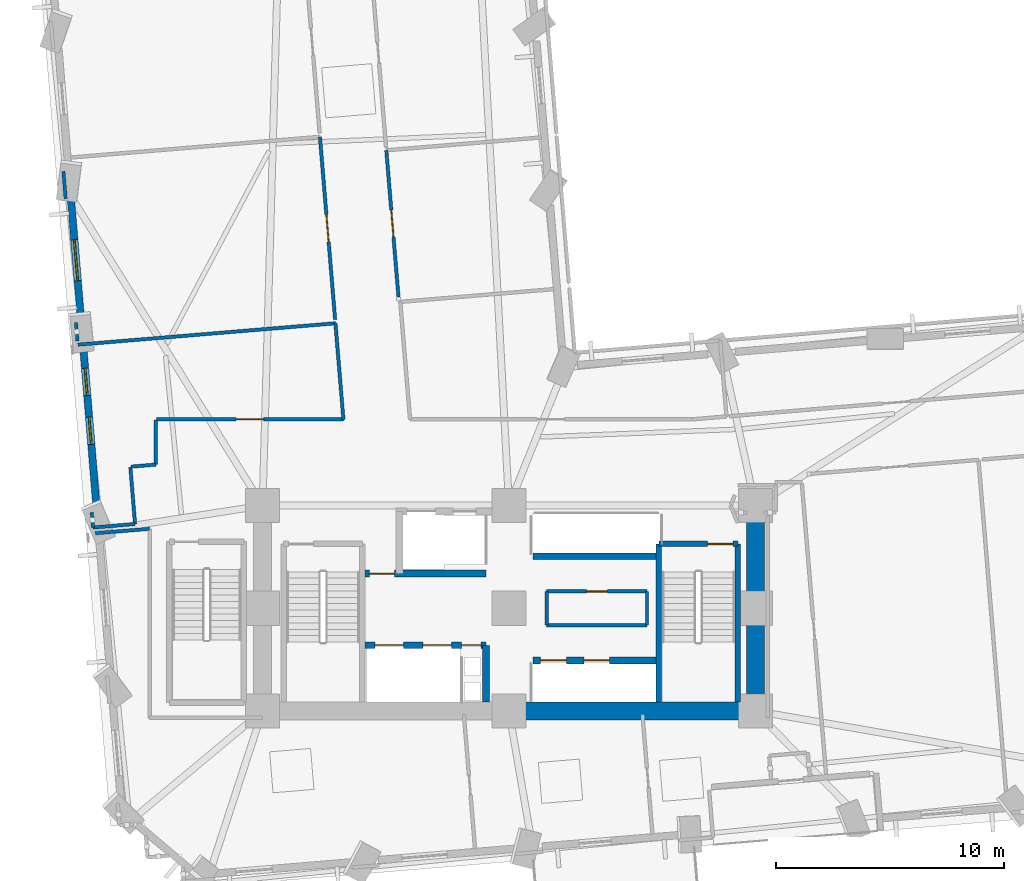
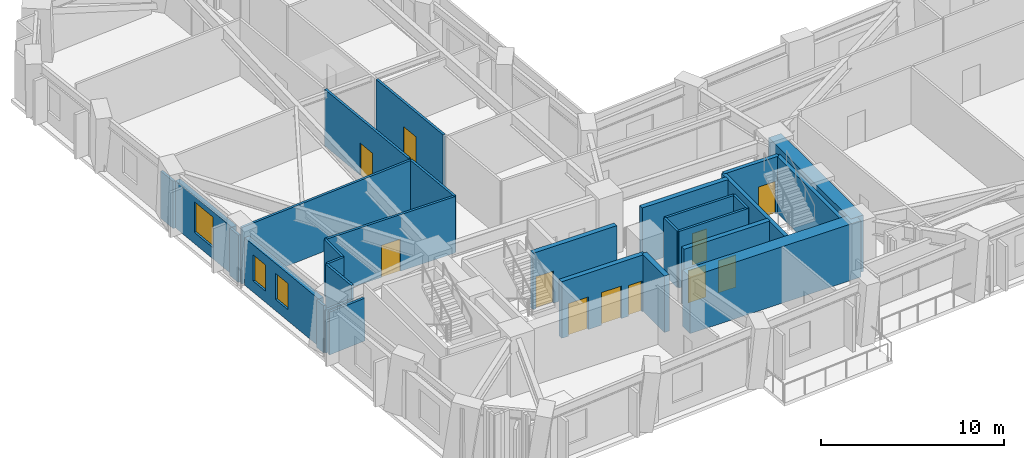
# One storey, part 7 of 14: 29 walls, 11 doors, 3 windows, 14 openings.
"""IFC4 building model written with IfcOpenShell, lengths in metres."""

from ifc_helpers import new_model, si_unit, direction, frame, frame_2d, origin, place, context, subcontext, project, spatial, rectangle, extrude, material, layer, layer_set, type_object, element, fill, save


model = new_model("IFC4")

# Units and contexts
model_context = context("Model", 3, precision=1e-05, world=origin(), true_north=direction((0.0, 1.0)))
body_context = subcontext(model_context, "Body", "Model", "MODEL_VIEW")
ifc_project = project(units=[si_unit("LENGTHUNIT", "METRE"), si_unit("AREAUNIT", "SQUARE_METRE"), si_unit("VOLUMEUNIT", "CUBIC_METRE"), si_unit("PLANEANGLEUNIT", "RADIAN"), si_unit("MASSUNIT", "GRAM", prefix="KILO")], contexts=[model_context])

# Site, building, storey
site_placement = place(None, origin())
site = spatial("IfcSite", under=ifc_project, at=site_placement, CompositionType="ELEMENT")
building_placement = place(site_placement, origin())
building = spatial("IfcBuilding", under=site, at=building_placement, Name="Gaonmaruhae Medical Tower", CompositionType="ELEMENT")
storey_placement = place(building_placement, frame((0.0, 0.0, 43.0)))
storey = spatial("IfcBuildingStorey", under=building, at=storey_placement, Name="L09", CompositionType="ELEMENT", Elevation=43.0)

# Walls
ifc_material_1 = material(Name="Concrete C60/75", Category="concrete")
ifc_layer_1 = layer(ifc_material_1, 0.800048828125)
ifc_layer_set_1 = layer_set([ifc_layer_1], Name="Concrete C60/75")
wall_type_1 = type_object("IfcWallType", Name="CW-800 Lower Core Shear Wall", PredefinedType="SHEAR", material=ifc_layer_set_1)
wall_1_placement = place(storey_placement, frame((24.800048828125, 7.800048828125, 0.0), z_axis=(0.0, 0.0, 1.0), x_axis=(1.0, 0.0, 0.0)))
element("IfcWall", 1, at=wall_1_placement, inside=storey, type_object=wall_type_1, Name="L09 Core Shear Wall CSW-S2", PredefinedType="SHEAR", context=body_context, shape_type="SweptSolid", body=[
    extrude(rectangle(XDim=10.800048828125, YDim=0.800048828125, at=frame_2d((5.39990234375, 0.0))), origin(), (0.0, 0.0, 1.0), 3.780029296875),
])
wall_2_placement = place(storey_placement, frame((35.60009765625, 7.800048828125, 0.0), z_axis=(0.0, 0.0, 1.0), x_axis=(0.0, 1.0, 0.0)))
element("IfcWall", 2, at=wall_2_placement, inside=storey, type_object=wall_type_1, Name="L09 Core Shear Wall CSW-E1", PredefinedType="SHEAR", context=body_context, shape_type="SweptSolid", body=[
    extrude(rectangle(XDim=9.0, YDim=0.800048828125, at=frame_2d((4.5, 0.0))), origin(), (0.0, 0.0, 1.0), 3.780029296875),
])

# Wall, opening, window
ifc_material_2 = material(Name="Precast concrete C45/55", Category="concrete")
ifc_layer_2 = layer(ifc_material_2, 0.320068359375)
ifc_layer_set_2 = layer_set([ifc_layer_2], Name="Precast concrete C45/55")
wall_type_2 = type_object("IfcWallType", Name="EW-320 Lower Precast Masonry-Frame Facade Wall", PredefinedType="SOLIDWALL", material=ifc_layer_set_2)
wall_3_placement = place(storey_placement, frame((6.05126953125, 24.848876953125, 0.0), z_axis=(0.0, 0.0, 1.0), x_axis=(-0.082785398729, 0.996567397499, 0.0)))
wall_3 = element("IfcWall", 3, at=wall_3_placement, inside=storey, type_object=wall_type_2, Name="L09 Precast Masonry-Frame Wall W03-W04", PredefinedType="SOLIDWALL", context=body_context, shape_type="SweptSolid", body=[
    extrude(rectangle(XDim=5.43798828125, YDim=0.320068359375, at=frame_2d((2.718994140625, 0.0))), origin(), (0.0, 0.0, 1.0), 3.1650390625),
])
opening_1_placement = place(wall_3_placement, frame((1.818115234375, 0.0, 0.75)))
opening_1 = element("IfcOpeningElement", 4, at=opening_1_placement, cuts=wall_3, Name="Opening WN-04", PredefinedType="OPENING", context=body_context, shape_type="SweptSolid", body=[
    extrude(rectangle(XDim=1.800048828125, YDim=2.050048828125, at=frame_2d((0.89990234375, 1.02490234375))), frame((0.0, 0.169921875, 0.0), z_axis=(0.0, -1.0, 0.0), x_axis=(1.0, 0.0, 0.0)), (0.0, 0.0, 1.0), 0.340087890625),
])
ifc_material_3 = material(Name="Anodised aluminium and Low-E double glazing", Category="aluminium")
window_type_1 = type_object("IfcWindowType", Name="WN-04 Clinic & Consult Punched Window 1800x2050", PartitioningType="SINGLE_PANEL", PredefinedType="WINDOW", material=ifc_material_3)
window_1_placement = place(opening_1_placement, origin())
window_1 = element("IfcWindow", 5, at=window_1_placement, inside=storey, type_object=window_type_1, Name="L09 Modular Facade Window W03", OverallHeight=2.050048828125, OverallWidth=1.800048828125, PartitioningType="SINGLE_PANEL", PredefinedType="WINDOW", context=body_context, shape_type="SweptSolid", body=[
    extrude(rectangle(XDim=1.800048828125, YDim=2.050048828125, at=frame_2d((0.89990234375, 1.02490234375))), frame((0.0, 0.030029296875, 0.0), z_axis=(0.0, -1.0, 0.0), x_axis=(1.0, 0.0, 0.0)), (0.0, 0.0, 1.0), 0.06005859375),
])
fill(opening_1, window_1)

# Wall, openings, windows
wall_4_placement = place(storey_placement, frame((6.742919921875, 16.52587890625, 0.0), z_axis=(0.0, 0.0, 1.0), x_axis=(-0.082790664038, 0.996566960093, 0.0)))
wall_4 = element("IfcWall", 6, at=wall_4_placement, inside=storey, type_object=wall_type_2, Name="L09 Precast Masonry-Frame Wall W04-W05", PredefinedType="SOLIDWALL", context=body_context, shape_type="SweptSolid", body=[
    extrude(rectangle(XDim=7.13623046875, YDim=0.320068359375, at=frame_2d((3.568115234375, 0.0))), origin(), (0.0, 0.0, 1.0), 3.1650390625),
])
opening_2_placement = place(wall_4_placement, frame((2.968505859375, 0.0, 0.75)))
opening_2 = element("IfcOpeningElement", 7, at=opening_2_placement, cuts=wall_4, Name="Opening WN-05", PredefinedType="OPENING", context=body_context, shape_type="SweptSolid", body=[
    extrude(rectangle(XDim=1.199951171875, YDim=1.75, at=frame_2d((0.60009765625, 0.875))), frame((0.0, 0.169921875, 0.0), z_axis=(0.0, -1.0, 0.0), x_axis=(1.0, 0.0, 0.0)), (0.0, 0.0, 1.0), 0.340087890625),
])
opening_3_placement = place(wall_4_placement, frame((5.117431640625, 0.0, 0.75)))
opening_3 = element("IfcOpeningElement", 8, at=opening_3_placement, cuts=wall_4, Name="Opening WN-05", PredefinedType="OPENING", context=body_context, shape_type="SweptSolid", body=[
    extrude(rectangle(XDim=1.199951171875, YDim=1.75, at=frame_2d((0.60009765625, 0.875))), frame((0.0, 0.169921875, 0.0), z_axis=(0.0, -1.0, 0.0), x_axis=(1.0, 0.0, 0.0)), (0.0, 0.0, 1.0), 0.340087890625),
])
window_type_2 = type_object("IfcWindowType", Name="WN-05 Support & Staff Punched Window 1200x1750", PartitioningType="SINGLE_PANEL", PredefinedType="WINDOW", material=ifc_material_3)
window_2_placement = place(opening_2_placement, origin())
window_2 = element("IfcWindow", 9, at=window_2_placement, inside=storey, type_object=window_type_2, Name="L09 Modular Facade Window W04", OverallHeight=1.75, OverallWidth=1.199951171875, PartitioningType="SINGLE_PANEL", PredefinedType="WINDOW", context=body_context, shape_type="SweptSolid", body=[
    extrude(rectangle(XDim=1.199951171875, YDim=1.75, at=frame_2d((0.60009765625, 0.875))), frame((0.0, 0.030029296875, 0.0), z_axis=(0.0, -1.0, 0.0), x_axis=(1.0, 0.0, 0.0)), (0.0, 0.0, 1.0), 0.06005859375),
])
fill(opening_2, window_2)
window_3_placement = place(opening_3_placement, origin())
window_3 = element("IfcWindow", 10, at=window_3_placement, inside=storey, type_object=window_type_2, Name="L09 Modular Facade Window W04B", OverallHeight=1.75, OverallWidth=1.199951171875, PartitioningType="SINGLE_PANEL", PredefinedType="WINDOW", context=body_context, shape_type="SweptSolid", body=[
    extrude(rectangle(XDim=1.199951171875, YDim=1.75, at=frame_2d((0.60009765625, 0.875))), frame((0.0, 0.030029296875, 0.0), z_axis=(0.0, -1.0, 0.0), x_axis=(1.0, 0.0, 0.0)), (0.0, 0.0, 1.0), 0.06005859375),
])
fill(opening_3, window_3)

# Wall
ifc_material_4 = material(Name="Gypsum board partition", Category="gypsum")
ifc_layer_3 = layer(ifc_material_4, 0.14990234375)
ifc_layer_set_3 = layer_set([ifc_layer_3], Name="Gypsum board partition")
wall_type_3 = type_object("IfcWallType", Name="PW-150 Rated Clinical Corridor Partition", PredefinedType="PARTITIONING", material=ifc_layer_set_3)
wall_5_placement = place(storey_placement, frame((26.449951171875, 11.56005859375, 0.0), z_axis=(0.0, 0.0, 1.0), x_axis=(0.0, 1.0, 0.0)))
element("IfcWall", 11, at=wall_5_placement, inside=storey, type_object=wall_type_3, Name="L09 Interior Partition L09-CS1-1", PredefinedType="PARTITIONING", context=body_context, shape_type="SweptSolid", body=[
    extrude(rectangle(XDim=1.47998046875, YDim=0.14990234375, at=frame_2d((0.739990234375, 0.0))), origin(), (0.0, 0.0, 1.0), 3.780029296875),
])

# Wall, opening, door
wall_6_placement = place(storey_placement, frame((26.449951171875, 13.0400390625, 0.0), z_axis=(0.0, 0.0, 1.0), x_axis=(1.0, 0.0, 0.0)))
wall_6 = element("IfcWall", 12, at=wall_6_placement, inside=storey, type_object=wall_type_3, Name="L09 Interior Partition L09-CS1-2", PredefinedType="PARTITIONING", context=body_context, shape_type="SweptSolid", body=[
    extrude(rectangle(XDim=4.400146484375, YDim=0.14990234375, at=frame_2d((2.2001953125, 0.0))), origin(), (0.0, 0.0, 1.0), 3.780029296875),
])
opening_4_placement = place(wall_6_placement, frame((1.739990234375, 0.0, 0.0)))
opening_4 = element("IfcOpeningElement", 13, at=opening_4_placement, cuts=wall_6, Name="Opening UD-01", PredefinedType="OPENING", context=body_context, shape_type="SweptSolid", body=[
    extrude(rectangle(XDim=0.919921875, YDim=2.10009765625, at=frame_2d((0.4599609375, 1.050048828125))), frame((0.0, 0.0849609375, 0.0), z_axis=(0.0, -1.0, 0.0), x_axis=(1.0, 0.0, 0.0)), (0.0, 0.0, 1.0), 0.169921875),
])
ifc_material_5 = material(Name="Powder-coated steel utility door", Category="steel")
door_type_1 = type_object("IfcDoorType", Name="UD-01 Toilet, Utility & Housekeeping Door 920x2100", OperationType="NOTDEFINED", PredefinedType="DOOR", material=ifc_material_5)
door_1_placement = place(opening_4_placement, origin())
door_1 = element("IfcDoor", 14, at=door_1_placement, inside=storey, type_object=door_type_1, Name="L09 Clean Linen Utility Store Door", OperationType="SINGLE_SWING_LEFT", OverallHeight=2.10009765625, OverallWidth=0.919921875, PredefinedType="DOOR", context=body_context, shape_type="SweptSolid", body=[
    extrude(rectangle(XDim=0.919921875, YDim=2.10009765625, at=frame_2d((0.4599609375, 1.050048828125))), frame((0.0, 0.02490234375, 0.0), z_axis=(0.0, -1.0, 0.0), x_axis=(1.0, 0.0, 0.0)), (0.0, 0.0, 1.0), 0.050048828125),
])
fill(opening_4, door_1)

# Walls
wall_7_placement = place(storey_placement, frame((30.85009765625, 13.0400390625, 0.0), z_axis=(0.0, 0.0, 1.0), x_axis=(0.0, -1.0, 0.0)))
element("IfcWall", 15, at=wall_7_placement, inside=storey, type_object=wall_type_3, Name="L09 Interior Partition L09-CS1-3", PredefinedType="PARTITIONING", context=body_context, shape_type="SweptSolid", body=[
    extrude(rectangle(XDim=1.47998046875, YDim=0.14990234375, at=frame_2d((0.739990234375, 0.0))), origin(), (0.0, 0.0, 1.0), 3.780029296875),
])
wall_8_placement = place(storey_placement, frame((30.85009765625, 11.56005859375, 0.0), z_axis=(0.0, 0.0, 1.0), x_axis=(-1.0, 0.0, 0.0)))
element("IfcWall", 16, at=wall_8_placement, inside=storey, type_object=wall_type_3, Name="L09 Interior Partition L09-CS1-4", PredefinedType="PARTITIONING", context=body_context, shape_type="SweptSolid", body=[
    extrude(rectangle(XDim=4.400146484375, YDim=0.14990234375, at=frame_2d((2.2001953125, 0.0))), origin(), (0.0, 0.0, 1.0), 3.780029296875),
])
wall_9_placement = place(storey_placement, frame((6.669921875, 15.587890625, 0.0), z_axis=(0.0, 0.0, 1.0), x_axis=(0.996557732461, 0.082901663866, 0.0)))
element("IfcWall", 17, at=wall_9_placement, inside=storey, type_object=wall_type_3, Name="L09 Interior Partition L09-SUP01-15", PredefinedType="PARTITIONING", context=body_context, shape_type="SweptSolid", body=[
    extrude(rectangle(XDim=2.388427734375, YDim=0.14990234375, at=frame_2d((1.1943359375, 0.0))), origin(), (0.0, 0.0, 1.0), 2.864990234375),
])
wall_10_placement = place(storey_placement, frame((9.320068359375, 20.550048828125, 0.0), z_axis=(0.0, 0.0, 1.0), x_axis=(0.0, -1.0, 0.0)))
element("IfcWall", 18, at=wall_10_placement, inside=storey, type_object=wall_type_3, Name="L09 Interior Partition L09-WOF08-44", PredefinedType="PARTITIONING", context=body_context, shape_type="SweptSolid", body=[
    extrude(rectangle(XDim=1.9521484375, YDim=0.14990234375, at=frame_2d((0.97607421875, 0.0))), origin(), (0.0, 0.0, 1.0), 3.780029296875),
])
wall_11_placement = place(storey_placement, frame((9.320068359375, 18.597900390625, 0.0), z_axis=(0.0, 0.0, 1.0), x_axis=(-0.99659655083, -0.082433699866, 0.0)))
element("IfcWall", 19, at=wall_11_placement, inside=storey, type_object=wall_type_3, Name="L09 Interior Partition L09-WOF08-45", PredefinedType="PARTITIONING", context=body_context, shape_type="SweptSolid", body=[
    extrude(rectangle(XDim=1.08984375, YDim=0.14990234375, at=frame_2d((0.544921875, 0.0))), origin(), (0.0, 0.0, 1.0), 3.780029296875),
])
wall_12_placement = place(storey_placement, frame((8.20703125, 18.48388671875, 0.0), z_axis=(0.0, 0.0, 1.0), x_axis=(0.082471307272, -0.996593439411, 0.0)))
element("IfcWall", 20, at=wall_12_placement, inside=storey, type_object=wall_type_3, Name="L09 Interior Partition L09-WOF08-46", PredefinedType="PARTITIONING", context=body_context, shape_type="SweptSolid", body=[
    extrude(rectangle(XDim=2.49853515625, YDim=0.14990234375, at=frame_2d((1.249267578125, 0.0))), origin(), (0.0, 0.0, 1.0), 3.780029296875),
])
wall_13_placement = place(storey_placement, frame((8.4130859375, 15.993896484375, 0.0), z_axis=(0.0, 0.0, 1.0), x_axis=(-0.996582966353, -0.082597767369, 0.0)))
element("IfcWall", 21, at=wall_13_placement, inside=storey, type_object=wall_type_3, Name="L09 Interior Partition L09-WOF08-47", PredefinedType="PARTITIONING", context=body_context, shape_type="SweptSolid", body=[
    extrude(rectangle(XDim=1.850341796875, YDim=0.14990234375, at=frame_2d((0.92529296875, 0.0))), origin(), (0.0, 0.0, 1.0), 2.864990234375),
])
wall_14_placement = place(storey_placement, frame((6.569091796875, 15.841064453125, 0.0), z_axis=(0.0, 0.0, 1.0), x_axis=(-0.082561739403, 0.996585951731, 0.0)))
element("IfcWall", 22, at=wall_14_placement, inside=storey, type_object=wall_type_3, Name="L09 Interior Partition L09-WOF08-48", PredefinedType="PARTITIONING", context=body_context, shape_type="SweptSolid", body=[
    extrude(rectangle(XDim=0.668212890625, YDim=0.14990234375, at=frame_2d((0.333984375, 0.0))), origin(), (0.0, 0.0, 1.0), 3.1650390625),
])
wall_15_placement = place(storey_placement, frame((5.903076171875, 23.85302734375, 0.0), z_axis=(0.0, 0.0, 1.0), x_axis=(0.996567124878, 0.082788680457, 0.0)))
element("IfcWall", 23, at=wall_15_placement, inside=storey, type_object=wall_type_3, Name="L09 Interior Partition L09-WOF08-49", PredefinedType="PARTITIONING", context=body_context, shape_type="SweptSolid", body=[
    extrude(rectangle(XDim=11.329833984375, YDim=0.14990234375, at=frame_2d((5.6650390625, 0.0))), origin(), (0.0, 0.0, 1.0), 3.780029296875),
])
wall_16_placement = place(storey_placement, frame((17.194091796875, 24.791015625, 0.0), z_axis=(0.0, 0.0, 1.0), x_axis=(0.082796829764, -0.99656644785, 0.0)))
element("IfcWall", 24, at=wall_16_placement, inside=storey, type_object=wall_type_3, Name="L09 Interior Partition L09-WOF08-50", PredefinedType="PARTITIONING", context=body_context, shape_type="SweptSolid", body=[
    extrude(rectangle(XDim=4.225341796875, YDim=0.14990234375, at=frame_2d((2.11279296875, 0.0))), origin(), (0.0, 0.0, 1.0), 3.780029296875),
])

# Wall, opening, door
wall_17_placement = place(storey_placement, frame((17.5439453125, 20.580078125, 0.0), z_axis=(0.0, 0.0, 1.0), x_axis=(-1.0, 0.0, 0.0)))
wall_17 = element("IfcWall", 25, at=wall_17_placement, inside=storey, type_object=wall_type_3, Name="L09 Interior Partition L09-WOF08-51", PredefinedType="PARTITIONING", context=body_context, shape_type="SweptSolid", body=[
    extrude(rectangle(XDim=8.197021484375, YDim=0.14990234375, at=frame_2d((4.0986328125, 0.0))), origin(), (0.0, 0.0, 1.0), 3.780029296875),
])
opening_5_placement = place(wall_17_placement, frame((3.49853515625, 0.0, 0.0)))
opening_5 = element("IfcOpeningElement", 26, at=opening_5_placement, cuts=wall_17, Name="Opening CD-02", PredefinedType="OPENING", context=body_context, shape_type="SweptSolid", body=[
    extrude(rectangle(XDim=1.199951171875, YDim=2.14990234375, at=frame_2d((0.60009765625, 1.074951171875))), frame((0.0, 0.0849609375, 0.0), z_axis=(0.0, -1.0, 0.0), x_axis=(1.0, 0.0, 0.0)), (0.0, 0.0, 1.0), 0.169921875),
])
ifc_material_6 = material(Name="Antimicrobial laminate timber fire door", Category="wood")
door_type_2 = type_object("IfcDoorType", Name="CD-02 Clinical Treatment & Procedure Door 1200x2150", OperationType="NOTDEFINED", PredefinedType="DOOR", material=ifc_material_6)
door_2_placement = place(opening_5_placement, origin())
door_2 = element("IfcDoor", 27, at=door_2_placement, inside=storey, type_object=door_type_2, Name="L09 Ward Physician Reporting Office Door", OperationType="SINGLE_SWING_LEFT", OverallHeight=2.14990234375, OverallWidth=1.199951171875, PredefinedType="DOOR", context=body_context, shape_type="SweptSolid", body=[
    extrude(rectangle(XDim=1.199951171875, YDim=2.14990234375, at=frame_2d((0.60009765625, 1.074951171875))), frame((0.0, 0.02490234375, 0.0), z_axis=(0.0, -1.0, 0.0), x_axis=(1.0, 0.0, 0.0)), (0.0, 0.0, 1.0), 0.050048828125),
])
fill(opening_5, door_2)

wall_18_placement = place(storey_placement, frame((16.514892578125, 32.962890625, 0.0), z_axis=(0.0, 0.0, 1.0), x_axis=(0.082841912697, -0.996562701239, 0.0)))
wall_18 = element("IfcWall", 28, at=wall_18_placement, inside=storey, type_object=wall_type_3, Name="L09 Interior Partition L09-WOF09-53", PredefinedType="PARTITIONING", context=body_context, shape_type="SweptSolid", body=[
    extrude(rectangle(XDim=8.03955078125, YDim=0.14990234375, at=frame_2d((4.019775390625, 0.0))), origin(), (0.0, 0.0, 1.0), 3.780029296875),
])
opening_6_placement = place(wall_18_placement, frame((3.419921875, 0.0, 0.0)))
opening_6 = element("IfcOpeningElement", 29, at=opening_6_placement, cuts=wall_18, Name="Opening CD-02", PredefinedType="OPENING", context=body_context, shape_type="SweptSolid", body=[
    extrude(rectangle(XDim=1.199951171875, YDim=2.14990234375, at=frame_2d((0.60009765625, 1.074951171875))), frame((0.0, 0.0849609375, 0.0), z_axis=(0.0, -1.0, 0.0), x_axis=(1.0, 0.0, 0.0)), (0.0, 0.0, 1.0), 0.169921875),
])
door_3_placement = place(opening_6_placement, origin())
door_3 = element("IfcDoor", 30, at=door_3_placement, inside=storey, type_object=door_type_2, Name="L09 Ward Physician Reporting Office Door", OperationType="SINGLE_SWING_RIGHT", OverallHeight=2.14990234375, OverallWidth=1.199951171875, PredefinedType="DOOR", context=body_context, shape_type="SweptSolid", body=[
    extrude(rectangle(XDim=1.199951171875, YDim=2.14990234375, at=frame_2d((0.60009765625, 1.074951171875))), frame((0.0, 0.02490234375, 0.0), z_axis=(0.0, -1.0, 0.0), x_axis=(1.0, 0.0, 0.0)), (0.0, 0.0, 1.0), 0.050048828125),
])
fill(opening_6, door_3)

# Walls
wall_19_placement = place(storey_placement, frame((5.889892578125, 24.012939453125, 0.0), z_axis=(0.0, 0.0, 1.0), x_axis=(-0.082774421865, 0.996568309292, 0.0)))
element("IfcWall", 31, at=wall_19_placement, inside=storey, type_object=wall_type_3, Name="L09 Interior Partition L09-WOF09-54", PredefinedType="PARTITIONING", context=body_context, shape_type="SweptSolid", body=[
    extrude(rectangle(XDim=0.820068359375, YDim=0.14990234375, at=frame_2d((0.41015625, 0.0))), origin(), (0.0, 0.0, 1.0), 3.1650390625),
])
wall_20_placement = place(storey_placement, frame((5.3720703125, 30.2490234375, 0.0), z_axis=(0.0, 0.0, 1.0), x_axis=(-0.082861496646, 0.996561073078, 0.0)))
element("IfcWall", 32, at=wall_20_placement, inside=storey, type_object=wall_type_3, Name="L09 Interior Partition L09-WOF09-55", PredefinedType="PARTITIONING", context=body_context, shape_type="SweptSolid", body=[
    extrude(rectangle(XDim=1.2080078125, YDim=0.14990234375, at=frame_2d((0.60400390625, 0.0))), origin(), (0.0, 0.0, 1.0), 3.1650390625),
])

# Wall, opening, door
wall_21_placement = place(storey_placement, frame((19.958984375, 25.93408203125, 0.0), z_axis=(0.0, 0.0, 1.0), x_axis=(-0.082801525688, 0.996566057692, 0.0)))
wall_21 = element("IfcWall", 33, at=wall_21_placement, inside=storey, type_object=wall_type_3, Name="L09 Interior Partition L09-IN01-83", PredefinedType="PARTITIONING", context=body_context, shape_type="SweptSolid", body=[
    extrude(rectangle(XDim=6.460205078125, YDim=0.14990234375, at=frame_2d((3.22998046875, 0.0))), origin(), (0.0, 0.0, 1.0), 3.780029296875),
])
opening_7_placement = place(wall_21_placement, frame((2.630126953125, 0.0, 0.0)))
opening_7 = element("IfcOpeningElement", 34, at=opening_7_placement, cuts=wall_21, Name="Opening CD-02", PredefinedType="OPENING", context=body_context, shape_type="SweptSolid", body=[
    extrude(rectangle(XDim=1.199951171875, YDim=2.14990234375, at=frame_2d((0.60009765625, 1.074951171875))), frame((0.0, 0.0849609375, 0.0), z_axis=(0.0, -1.0, 0.0), x_axis=(1.0, 0.0, 0.0)), (0.0, 0.0, 1.0), 0.169921875),
])
door_4_placement = place(opening_7_placement, origin())
door_4 = element("IfcDoor", 35, at=door_4_placement, inside=storey, type_object=door_type_2, Name="L09 Physician Consultation Office Door", OperationType="SINGLE_SWING_RIGHT", OverallHeight=2.14990234375, OverallWidth=1.199951171875, PredefinedType="DOOR", context=body_context, shape_type="SweptSolid", body=[
    extrude(rectangle(XDim=1.199951171875, YDim=2.14990234375, at=frame_2d((0.60009765625, 1.074951171875))), frame((0.0, 0.02490234375, 0.0), z_axis=(0.0, -1.0, 0.0), x_axis=(1.0, 0.0, 0.0)), (0.0, 0.0, 1.0), 0.050048828125),
])
fill(opening_7, door_4)

ifc_material_7 = material(Name="Concrete C50/60", Category="concrete")
ifc_layer_4 = layer(ifc_material_7, 0.239990234375)
ifc_layer_set_4 = layer_set([ifc_layer_4], Name="Concrete C50/60")
wall_type_4 = type_object("IfcWallType", Name="SW-240 Dogleg Stair Tight Shaft Wall", PredefinedType="SOLIDWALL", material=ifc_layer_set_4)
wall_22_placement = place(storey_placement, frame((31.3701171875, 15.1201171875, 0.0), z_axis=(0.0, 0.0, 1.0), x_axis=(1.0, 0.0, 0.0)))
wall_22 = element("IfcWall", 36, at=wall_22_placement, inside=storey, type_object=wall_type_4, Name="L09 ST-02 Stair Shaft Wall SHW-ST-02-N", PredefinedType="SOLIDWALL", context=body_context, shape_type="SweptSolid", body=[
    extrude(rectangle(XDim=3.4599609375, YDim=0.239990234375, at=frame_2d((1.72998046875, 0.0))), origin(), (0.0, 0.0, 1.0), 3.780029296875),
])
opening_8_placement = place(wall_22_placement, frame((2.139892578125, 0.0, 0.0)))
opening_8 = element("IfcOpeningElement", 37, at=opening_8_placement, cuts=wall_22, Name="Opening FD-01", PredefinedType="OPENING", context=body_context, shape_type="SweptSolid", body=[
    extrude(rectangle(XDim=1.10009765625, YDim=2.14990234375, at=frame_2d((0.550048828125, 1.074951171875))), frame((0.0, 0.1298828125, 0.0), z_axis=(0.0, -1.0, 0.0), x_axis=(1.0, 0.0, 0.0)), (0.0, 0.0, 1.0), 0.260009765625),
])
ifc_material_8 = material(Name="Powder-coated steel fire door", Category="steel")
door_type_3 = type_object("IfcDoorType", Name="FD-01 Escape Stair Protected Fire Door 1100x2150", OperationType="NOTDEFINED", PredefinedType="DOOR", material=ifc_material_8)
door_5_placement = place(opening_8_placement, origin())
door_5 = element("IfcDoor", 38, at=door_5_placement, inside=storey, type_object=door_type_3, Name="L09 ST-02 Protected Escape Stair Door", OperationType="SINGLE_SWING_LEFT", OverallHeight=2.14990234375, OverallWidth=1.10009765625, PredefinedType="DOOR", context=body_context, shape_type="SweptSolid", body=[
    extrude(rectangle(XDim=1.10009765625, YDim=2.14990234375, at=frame_2d((0.550048828125, 1.074951171875))), frame((0.0, 0.02490234375, 0.0), z_axis=(0.0, -1.0, 0.0), x_axis=(1.0, 0.0, 0.0)), (0.0, 0.0, 1.0), 0.050048828125),
])
fill(opening_8, door_5)

# Walls
for number, where, z_axis, x_axis, name in (
    (39, (34.830078125, 15.1201171875, 0.0), (0.0, 0.0, 1.0), (0.0, -1.0, 0.0), "L09 ST-02 Stair Shaft Wall SHW-ST-02-E"),
    (40, (31.3701171875, 8.199951171875, 0.0), (0.0, 0.0, 1.0), (0.0, 1.0, 0.0), "L09 ST-02 Stair Shaft Wall SHW-ST-02-W"),
):
    element("IfcWall", number, at=place(storey_placement, frame(where, z_axis=z_axis, x_axis=x_axis)), inside=storey, type_object=wall_type_4, Name=name, PredefinedType="SOLIDWALL", context=body_context, shape_type="SweptSolid", body=[
        extrude(rectangle(XDim=6.920166015625, YDim=0.239990234375, at=frame_2d((3.4599609375, 0.0))), origin(), (0.0, 0.0, 1.0), 3.780029296875),
    ])

# Wall, openings, doors
ifc_layer_5 = layer(ifc_material_7, 0.300048828125)
ifc_layer_set_5 = layer_set([ifc_layer_5], Name="Concrete C50/60")
wall_type_5 = type_object("IfcWallType", Name="SW-300 Stair & Lift Hoistway Shaft Wall", PredefinedType="SOLIDWALL", material=ifc_layer_set_5)
wall_23_placement = place(storey_placement, frame((18.5, 10.679931640625, 0.0), z_axis=(0.0, 0.0, 1.0), x_axis=(1.0, 0.0, 0.0)))
wall_23 = element("IfcWall", 41, at=wall_23_placement, inside=storey, type_object=wall_type_5, Name="L09 Shaft Enclosure Wall SHW-FFN", PredefinedType="SOLIDWALL", context=body_context, shape_type="SweptSolid", body=[
    extrude(rectangle(XDim=5.300048828125, YDim=0.300048828125, at=frame_2d((2.64990234375, 0.0))), origin(), (0.0, 0.0, 1.0), 3.780029296875),
])
opening_9_placement = place(wall_23_placement, frame((4.219970703125, 0.0, 0.0)))
opening_9 = element("IfcOpeningElement", 42, at=opening_9_placement, cuts=wall_23, Name="Opening AD-01", PredefinedType="OPENING", context=body_context, shape_type="SweptSolid", body=[
    extrude(rectangle(XDim=0.860107421875, YDim=2.06005859375, at=frame_2d((0.43017578125, 1.030029296875))), frame((0.0, 0.16015625, 0.0), z_axis=(0.0, -1.0, 0.0), x_axis=(1.0, 0.0, 0.0)), (0.0, 0.0, 1.0), 0.320068359375),
])
opening_10_placement = place(wall_23_placement, frame((0.425048828125, 0.0, 0.0)))
opening_10 = element("IfcOpeningElement", 43, at=opening_10_placement, cuts=wall_23, Name="Opening LD-F1", PredefinedType="OPENING", context=body_context, shape_type="SweptSolid", body=[
    extrude(rectangle(XDim=1.25, YDim=2.179931640625, at=frame_2d((0.625, 1.08984375))), frame((0.0, 0.16015625, 0.0), z_axis=(0.0, -1.0, 0.0), x_axis=(1.0, 0.0, 0.0)), (0.0, 0.0, 1.0), 0.320068359375),
])
opening_11_placement = place(wall_23_placement, frame((2.52490234375, 0.0, 0.0)))
opening_11 = element("IfcOpeningElement", 44, at=opening_11_placement, cuts=wall_23, Name="Opening LD-F1", PredefinedType="OPENING", context=body_context, shape_type="SweptSolid", body=[
    extrude(rectangle(XDim=1.25, YDim=2.179931640625, at=frame_2d((0.625, 1.08984375))), frame((0.0, 0.16015625, 0.0), z_axis=(0.0, -1.0, 0.0), x_axis=(1.0, 0.0, 0.0)), (0.0, 0.0, 1.0), 0.320068359375),
])
ifc_material_9 = material(Name="Powder-coated steel access door", Category="steel")
door_type_4 = type_object("IfcDoorType", Name="AD-01 Riser & Closet Access Fire Door 860x2060", OperationType="NOTDEFINED", PredefinedType="DOOR", material=ifc_material_9)
door_6_placement = place(opening_9_placement, origin())
door_6 = element("IfcDoor", 45, at=door_6_placement, inside=storey, type_object=door_type_4, Name="L09 Medical Gas and MEP Riser Access Door", OperationType="SINGLE_SWING_RIGHT", OverallHeight=2.06005859375, OverallWidth=0.860107421875, PredefinedType="DOOR", context=body_context, shape_type="SweptSolid", body=[
    extrude(rectangle(XDim=0.860107421875, YDim=2.06005859375, at=frame_2d((0.43017578125, 1.030029296875))), frame((0.0, 0.02490234375, 0.0), z_axis=(0.0, -1.0, 0.0), x_axis=(1.0, 0.0, 0.0)), (0.0, 0.0, 1.0), 0.050048828125),
])
fill(opening_9, door_6)
ifc_material_10 = material(Name="Brushed stainless steel 316L landing door", Category="steel")
door_type_5 = type_object("IfcDoorType", Name="LD-F1 Firefighting & Bed Lift Sliding Landing Door 1250x2180", OperationType="NOTDEFINED", PredefinedType="DOOR", material=ifc_material_10)
door_7_placement = place(opening_10_placement, origin())
door_7 = element("IfcDoor", 46, at=door_7_placement, inside=storey, type_object=door_type_5, Name="L09 Firefighting Lift Landing Door FFL-01", OperationType="DOUBLE_DOOR_SLIDING", OverallHeight=2.179931640625, OverallWidth=1.25, PredefinedType="DOOR", context=body_context, shape_type="SweptSolid", body=[
    extrude(rectangle(XDim=1.25, YDim=2.179931640625, at=frame_2d((0.625, 1.08984375))), frame((0.0, 0.02490234375, 0.0), z_axis=(0.0, -1.0, 0.0), x_axis=(1.0, 0.0, 0.0)), (0.0, 0.0, 1.0), 0.050048828125),
])
fill(opening_10, door_7)
door_8_placement = place(opening_11_placement, origin())
door_8 = element("IfcDoor", 47, at=door_8_placement, inside=storey, type_object=door_type_5, Name="L09 Firefighting Lift Landing Door FFL-02", OperationType="DOUBLE_DOOR_SLIDING", OverallHeight=2.179931640625, OverallWidth=1.25, PredefinedType="DOOR", context=body_context, shape_type="SweptSolid", body=[
    extrude(rectangle(XDim=1.25, YDim=2.179931640625, at=frame_2d((0.625, 1.08984375))), frame((0.0, 0.02490234375, 0.0), z_axis=(0.0, -1.0, 0.0), x_axis=(1.0, 0.0, 0.0)), (0.0, 0.0, 1.0), 0.050048828125),
])
fill(opening_11, door_8)

# Wall, opening, door
wall_24_placement = place(storey_placement, frame((18.5, 13.820068359375, 0.0), z_axis=(0.0, 0.0, 1.0), x_axis=(1.0, 0.0, 0.0)))
wall_24 = element("IfcWall", 48, at=wall_24_placement, inside=storey, type_object=wall_type_5, Name="L09 Shaft Enclosure Wall SHW-FFL", PredefinedType="SOLIDWALL", context=body_context, shape_type="SweptSolid", body=[
    extrude(rectangle(XDim=5.300048828125, YDim=0.300048828125, at=frame_2d((2.64990234375, 0.0))), origin(), (0.0, 0.0, 1.0), 3.780029296875),
])
opening_12_placement = place(wall_24_placement, frame((0.179931640625, 0.0, 0.0)))
opening_12 = element("IfcOpeningElement", 49, at=opening_12_placement, cuts=wall_24, Name="Opening FD-01", PredefinedType="OPENING", context=body_context, shape_type="SweptSolid", body=[
    extrude(rectangle(XDim=1.10009765625, YDim=2.14990234375, at=frame_2d((0.550048828125, 1.074951171875))), frame((0.0, 0.16015625, 0.0), z_axis=(0.0, -1.0, 0.0), x_axis=(1.0, 0.0, 0.0)), (0.0, 0.0, 1.0), 0.320068359375),
])
door_9_placement = place(opening_12_placement, origin())
door_9 = element("IfcDoor", 50, at=door_9_placement, inside=storey, type_object=door_type_3, Name="L09 Firefighting Lobby Smoke Door", OperationType="SINGLE_SWING_LEFT", OverallHeight=2.14990234375, OverallWidth=1.10009765625, PredefinedType="DOOR", context=body_context, shape_type="SweptSolid", body=[
    extrude(rectangle(XDim=1.10009765625, YDim=2.14990234375, at=frame_2d((0.550048828125, 1.074951171875))), frame((0.0, 0.02490234375, 0.0), z_axis=(0.0, -1.0, 0.0), x_axis=(1.0, 0.0, 0.0)), (0.0, 0.0, 1.0), 0.050048828125),
])
fill(opening_12, door_9)

# Wall
wall_25_placement = place(storey_placement, frame((23.800048828125, 8.199951171875, 0.0), z_axis=(0.0, 0.0, 1.0), x_axis=(0.0, 1.0, 0.0)))
element("IfcWall", 51, at=wall_25_placement, inside=storey, type_object=wall_type_5, Name="L09 Shaft Enclosure Wall SHW-FFE", PredefinedType="SOLIDWALL", context=body_context, shape_type="SweptSolid", body=[
    extrude(rectangle(XDim=2.47998046875, YDim=0.300048828125, at=frame_2d((1.239990234375, 0.0))), origin(), (0.0, 0.0, 1.0), 3.780029296875),
])

# Wall, openings, doors
wall_26_placement = place(storey_placement, frame((25.85009765625, 10.02001953125, 0.0), z_axis=(0.0, 0.0, 1.0), x_axis=(1.0, 0.0, 0.0)))
wall_26 = element("IfcWall", 52, at=wall_26_placement, inside=storey, type_object=wall_type_5, Name="L09 Shaft Enclosure Wall SHW-PLS", PredefinedType="SOLIDWALL", context=body_context, shape_type="SweptSolid", body=[
    extrude(rectangle(XDim=5.449951171875, YDim=0.300048828125, at=frame_2d((2.72509765625, 0.0))), origin(), (0.0, 0.0, 1.0), 3.780029296875),
])
opening_13_placement = place(wall_26_placement, frame((0.340087890625, 0.0, 0.0)))
opening_13 = element("IfcOpeningElement", 53, at=opening_13_placement, cuts=wall_26, Name="Opening LD-P1", PredefinedType="OPENING", context=body_context, shape_type="SweptSolid", body=[
    extrude(rectangle(XDim=1.1201171875, YDim=2.14990234375, at=frame_2d((0.56005859375, 1.074951171875))), frame((0.0, 0.16015625, 0.0), z_axis=(0.0, -1.0, 0.0), x_axis=(1.0, 0.0, 0.0)), (0.0, 0.0, 1.0), 0.320068359375),
])
opening_14_placement = place(wall_26_placement, frame((2.239990234375, 0.0, 0.0)))
opening_14 = element("IfcOpeningElement", 54, at=opening_14_placement, cuts=wall_26, Name="Opening LD-P1", PredefinedType="OPENING", context=body_context, shape_type="SweptSolid", body=[
    extrude(rectangle(XDim=1.1201171875, YDim=2.14990234375, at=frame_2d((0.56005859375, 1.074951171875))), frame((0.0, 0.16015625, 0.0), z_axis=(0.0, -1.0, 0.0), x_axis=(1.0, 0.0, 0.0)), (0.0, 0.0, 1.0), 0.320068359375),
])
ifc_material_11 = material(Name="Brushed stainless steel 304 landing door", Category="steel")
door_type_6 = type_object("IfcDoorType", Name="LD-P1 Passenger Lift Sliding Landing Door 1120x2150", OperationType="NOTDEFINED", PredefinedType="DOOR", material=ifc_material_11)
door_10_placement = place(opening_13_placement, origin())
door_10 = element("IfcDoor", 55, at=door_10_placement, inside=storey, type_object=door_type_6, Name="L09 Passenger Lift Landing Door PL-L1", OperationType="DOUBLE_DOOR_SLIDING", OverallHeight=2.14990234375, OverallWidth=1.1201171875, PredefinedType="DOOR", context=body_context, shape_type="SweptSolid", body=[
    extrude(rectangle(XDim=1.1201171875, YDim=2.14990234375, at=frame_2d((0.56005859375, 1.074951171875))), frame((0.0, 0.02490234375, 0.0), z_axis=(0.0, -1.0, 0.0), x_axis=(1.0, 0.0, 0.0)), (0.0, 0.0, 1.0), 0.050048828125),
])
fill(opening_13, door_10)
door_11_placement = place(opening_14_placement, origin())
door_11 = element("IfcDoor", 56, at=door_11_placement, inside=storey, type_object=door_type_6, Name="L09 Passenger Lift Landing Door PL-L2", OperationType="DOUBLE_DOOR_SLIDING", OverallHeight=2.14990234375, OverallWidth=1.1201171875, PredefinedType="DOOR", context=body_context, shape_type="SweptSolid", body=[
    extrude(rectangle(XDim=1.1201171875, YDim=2.14990234375, at=frame_2d((0.56005859375, 1.074951171875))), frame((0.0, 0.02490234375, 0.0), z_axis=(0.0, -1.0, 0.0), x_axis=(1.0, 0.0, 0.0)), (0.0, 0.0, 1.0), 0.050048828125),
])
fill(opening_14, door_11)

# Wall
wall_27_placement = place(storey_placement, frame((25.85009765625, 14.580078125, 0.0), z_axis=(0.0, 0.0, 1.0), x_axis=(1.0, 0.0, 0.0)))
element("IfcWall", 57, at=wall_27_placement, inside=storey, type_object=wall_type_5, Name="L09 Shaft Enclosure Wall SHW-PLN", PredefinedType="SOLIDWALL", context=body_context, shape_type="SweptSolid", body=[
    extrude(rectangle(XDim=5.449951171875, YDim=0.300048828125, at=frame_2d((2.72509765625, 0.0))), origin(), (0.0, 0.0, 1.0), 3.780029296875),
])

save(model, "model.ifc")
